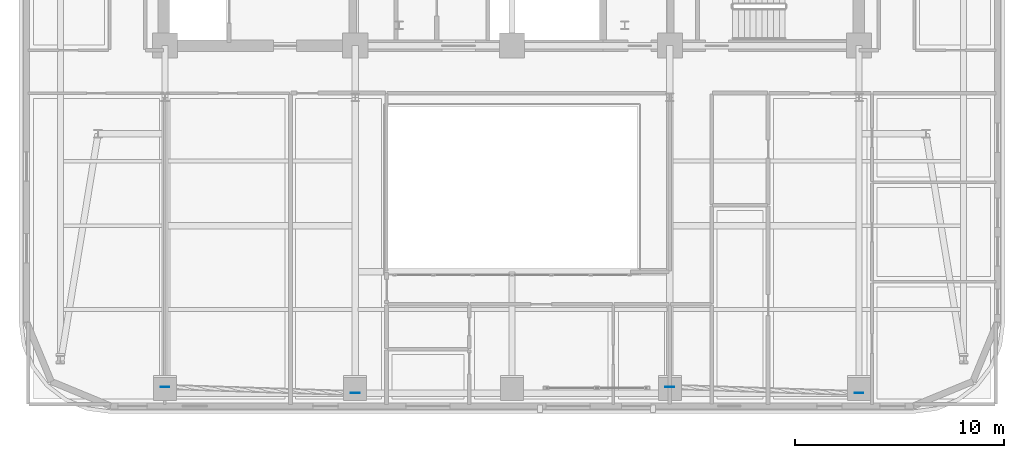
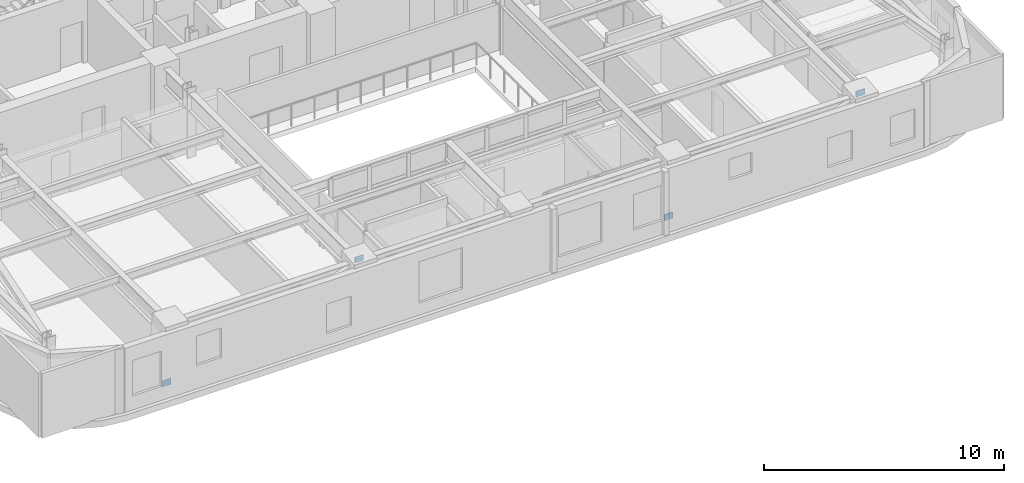
# One storey, part 5 of 13: 4 plates.
"""IFC4 building model written with IfcOpenShell, lengths in metres."""

import ifcopenshell
import ifcopenshell.guid

model = None  # the IFC model being written
_history = None  # IfcOwnerHistory: only IFC2X3 demands one
_inside = {}  # id of a spatial element -> (the spatial element, [elements in it])
_under = {}  # id of a project, library or spatial element -> (it, [spatial elements below it])
_declared = {}  # id of a project -> (the project, [libraries it declares])
_typed = {}  # id of a type object -> (the type object, [elements of that type])
_made_of = {}  # id of a material, layer set ... -> (it, [elements and type objects made of it])


def new_model(schema):
    """Start an empty IFC model of exactly this schema.

    Asked for "IFC4X3", IfcOpenShell would pick the latest addendum, in which some entities
    have other attributes; the version numbers below select the first issue.
    IFC2X3 requires an IfcOwnerHistory on every rooted entity: one is made here for all.
    """
    global model, _history
    if schema == "IFC4X3":
        model = ifcopenshell.file(schema_version=(4, 3, 0, 0))
    else:
        model = ifcopenshell.file(schema=schema)
    _inside.clear()
    _under.clear()
    _declared.clear()
    _typed.clear()
    _made_of.clear()
    _history = None
    if model.schema == "IFC2X3":
        org = make("IfcOrganization", Name="unknown")
        user = make(
            "IfcPersonAndOrganization",
            ThePerson=make("IfcPerson", FamilyName="unknown"),
            TheOrganization=org,
        )
        app = make(
            "IfcApplication",
            ApplicationDeveloper=org,
            Version="unknown",
            ApplicationFullName="unknown",
            ApplicationIdentifier="unknown",
        )
        _history = make(
            "IfcOwnerHistory",
            OwningUser=user,
            OwningApplication=app,
            ChangeAction="ADDED",
            CreationDate=0,
        )
    return model


def make(cls, **values):
    """One entity of the class cls with the attributes given. An attribute that is None is left unset."""
    return model.create_entity(
        cls, **{name: value for name, value in values.items() if value is not None}
    )


def rooted(cls, **values):
    """An entity with a GlobalId (a new one), such as an element, a storey or a relation."""
    return make(cls, GlobalId=ifcopenshell.guid.new(), OwnerHistory=_history, **values)


def si_unit(unit_type, name, prefix=None):
    """IfcSIUnit, for example si_unit("LENGTHUNIT", "METRE", prefix="MILLI")."""
    return make("IfcSIUnit", UnitType=unit_type, Prefix=prefix, Name=name)


def assignment(units):
    """IfcUnitAssignment: the units of a project."""
    return None if units is None else make("IfcUnitAssignment", Units=units)


def point(xyz):
    """IfcCartesianPoint."""
    return None if xyz is None else make("IfcCartesianPoint", Coordinates=xyz)


def direction(xyz):
    """IfcDirection."""
    return None if xyz is None else make("IfcDirection", DirectionRatios=xyz)


def frame(location, z_axis=None, x_axis=None):
    """IfcAxis2Placement3D, a coordinate frame: its origin and axes. An axis left out is left unset."""
    return make(
        "IfcAxis2Placement3D",
        Location=point(location),
        Axis=direction(z_axis),
        RefDirection=direction(x_axis),
    )


def frame_2d(location, x_axis=None):
    """IfcAxis2Placement2D, a coordinate frame in the plane: its origin and x axis."""
    return make(
        "IfcAxis2Placement2D", Location=point(location), RefDirection=direction(x_axis)
    )


def origin():
    """The frame at (0, 0, 0) with its axes left unset."""
    return frame((0.0, 0.0, 0.0))


def origin_2d():
    """The frame at (0, 0) in the plane with its x axis left unset."""
    return frame_2d((0.0, 0.0))


def place(relative_to, where):
    """IfcLocalPlacement: puts the frame where relative to a parent placement (None: the world)."""
    return make(
        "IfcLocalPlacement", PlacementRelTo=relative_to, RelativePlacement=where
    )


def context(
    kind, dimensions, precision=None, world=None, true_north=None, identifier=None
):
    """IfcGeometricRepresentationContext, for example the 3D "Model" context."""
    return make(
        "IfcGeometricRepresentationContext",
        ContextIdentifier=identifier,
        ContextType=kind,
        CoordinateSpaceDimension=dimensions,
        Precision=precision,
        WorldCoordinateSystem=world,
        TrueNorth=true_north,
    )


def subcontext(parent, identifier, kind, view, scale=None):
    """IfcGeometricRepresentationSubContext, for example "Body" below "Model"."""
    return make(
        "IfcGeometricRepresentationSubContext",
        ContextIdentifier=identifier,
        ContextType=kind,
        ParentContext=parent,
        TargetScale=scale,
        TargetView=view,
    )


def project(units=None, contexts=None):
    """IfcProject with its units and contexts."""
    return rooted(
        "IfcProject",
        Name="project",
        RepresentationContexts=contexts,
        UnitsInContext=assignment(units),
    )


def spatial(cls, under=None, at=None, **own):
    """A site, building, storey or space (cls), placed at a placement, below another one or the project."""
    s = rooted(cls, ObjectPlacement=at, **own)
    if under is not None:
        _under.setdefault(under.id(), (under, []))[1].append(s)
    return s


def profile(cls, at=None, kind="AREA", **sizes):
    """A parametric profile (cls). Its sizes go by their IFC names, for example OverallWidth=200.0."""
    return make(cls, ProfileType=kind, Position=at, **sizes)


def rectangle(**sizes):
    """IfcRectangleProfileDef."""
    return profile("IfcRectangleProfileDef", **sizes)


def extrude(swept, where, along, depth):
    """IfcExtrudedAreaSolid: the profile swept, set in the frame where, extruded along a direction by depth."""
    return make(
        "IfcExtrudedAreaSolid",
        SweptArea=swept,
        Position=where,
        ExtrudedDirection=direction(along),
        Depth=depth,
    )


def shape(context_of_items, identifier, shape_type, items):
    """IfcShapeRepresentation: the items that make up one representation, for example the "Body"."""
    return make(
        "IfcShapeRepresentation",
        ContextOfItems=context_of_items,
        RepresentationIdentifier=identifier,
        RepresentationType=shape_type,
        Items=items,
    )


def material(Name=None, Category=None):
    """IfcMaterial."""
    return make("IfcMaterial", Name=Name, Category=Category)


def layer(
    of_material, thickness, ventilated=None, Name=None, Category=None, Priority=None
):
    """IfcMaterialLayer: one layer of a wall or slab, of a material (None: an air gap)."""
    return make(
        "IfcMaterialLayer",
        Material=of_material,
        LayerThickness=thickness,
        IsVentilated=ventilated,
        Name=Name,
        Category=Category,
        Priority=Priority,
    )


def layer_set(layers, Name=None):
    """IfcMaterialLayerSet."""
    return make("IfcMaterialLayerSet", MaterialLayers=layers, LayerSetName=Name)


def made_of(thing, what):
    """Note that an element or type object is made of a material, layer set ...; save() writes the relation."""
    if what is not None:
        _made_of.setdefault(what.id(), (what, []))[1].append(thing)
    return thing


def type_object(cls, material=None, **own):
    """A type object (cls), such as IfcWallType, which elements share."""
    return made_of(rooted(cls, **own), material)


def element(
    cls,
    number,
    at=None,
    inside=None,
    cuts=None,
    type_object=None,
    material=None,
    context=None,
    identifier="Body",
    shape_type=None,
    held_by="IfcProductDefinitionShape",
    body=None,
    shapes=None,
    **own,
):
    """One element of the class cls, such as IfcWall. Its Tag is "e" and its number.

    at: its placement. inside: the storey or other place that contains it. cuts: it is an
    opening in that element (IfcRelVoidsElement). A single representation is given by context,
    identifier, shape_type and body (its items); several are given by shapes. held_by: the class
    of the entity that holds the representations. save() writes the other relations.
    """
    e = rooted(cls, Tag="e%d" % number, ObjectPlacement=at, **own)
    if body is not None:
        shapes = [shape(context, identifier, shape_type, body)]
    if shapes is not None:
        e.Representation = make(held_by, Representations=shapes)
    if inside is not None:
        _inside.setdefault(inside.id(), (inside, []))[1].append(e)
    if cuts is not None:
        rooted(
            "IfcRelVoidsElement", RelatingBuildingElement=cuts, RelatedOpeningElement=e
        )
    if type_object is not None:
        _typed.setdefault(type_object.id(), (type_object, []))[1].append(e)
    return made_of(e, material)


def aggregate(whole, parts):
    """IfcRelAggregates: a whole, such as a stair, and the parts it consists of."""
    return rooted("IfcRelAggregates", RelatingObject=whole, RelatedObjects=parts)


def save(model, path):
    """Write the relations noted so far, then the file.

    IfcRelAggregates (storeys below a building ...), IfcRelContainedInSpatialStructure (elements
    in a storey), IfcRelDefinesByType, IfcRelAssociatesMaterial and IfcRelDeclares: one each for
    every whole, place, type object, material and project.
    """
    for whole, parts in _under.values():
        aggregate(whole, parts)
    for where, things in _inside.values():
        rooted(
            "IfcRelContainedInSpatialStructure",
            RelatedElements=things,
            RelatingStructure=where,
        )
    for kind, things in _typed.values():
        rooted("IfcRelDefinesByType", RelatedObjects=things, RelatingType=kind)
    for what, things in _made_of.values():
        rooted("IfcRelAssociatesMaterial", RelatedObjects=things, RelatingMaterial=what)
    for by, libraries in _declared.values():
        rooted("IfcRelDeclares", RelatingContext=by, RelatedDefinitions=libraries)
    model.write(path)


model = new_model("IFC4")

# Units and contexts
model_context = context("Model", 3, precision=1e-05, world=origin(), true_north=direction((0.0, 1.0)))
body_context = subcontext(model_context, "Body", "Model", "MODEL_VIEW")
ifc_project = project(units=[si_unit("LENGTHUNIT", "METRE"), si_unit("AREAUNIT", "SQUARE_METRE"), si_unit("VOLUMEUNIT", "CUBIC_METRE"), si_unit("PLANEANGLEUNIT", "RADIAN"), si_unit("MASSUNIT", "GRAM", prefix="KILO")], contexts=[model_context])

# Site, building, storey
site_placement = place(None, origin())
site = spatial("IfcSite", under=ifc_project, at=site_placement, CompositionType="ELEMENT")
building_placement = place(site_placement, origin())
building = spatial("IfcBuilding", under=site, at=building_placement, Name="Zarnavel Station Tower", CompositionType="ELEMENT")
storey_placement = place(building_placement, frame((0.0, 0.0, 162.550048828125)))
storey = spatial("IfcBuildingStorey", under=building, at=storey_placement, Name="L44", CompositionType="ELEMENT", Elevation=162.550048828125)

# Plates
ifc_material = material(Name="Steel S460M", Category="steel")
ifc_layer = layer(ifc_material, 0.02490234375)
ifc_layer_set = layer_set([ifc_layer], Name="GP_GUSSET_25")
plate_type = type_object("IfcPlateType", Name="GP_GUSSET_25", PredefinedType="USERDEFINED", material=ifc_layer_set)
for number, where, z_axis, x_axis, name in (
    (1, (12.199951171875, 11.497802734375, -0.14990234375), (0.0, 0.0, 1.0), (1.0, 0.0, 0.0), "L44 Exterior Diagonal Brace End Gusset 1-1"),
    (2, (21.300048828125, 11.19970703125, 3.14013671875), (0.0, 0.0, 1.0), (1.0, 0.0, 0.0), "L44 Exterior Diagonal Brace End Gusset 1-2"),
    (3, (36.35009765625, 11.497802734375, -0.14990234375), (0.0, 0.0, 1.0), (1.0, 0.0, 0.0), "L44 Exterior Diagonal Brace End Gusset 2-1"),
    (4, (45.39990234375, 11.19970703125, 3.14013671875), (0.0, 0.0, 1.0), (1.0, 0.0, 0.0), "L44 Exterior Diagonal Brace End Gusset 2-2"),
):
    element("IfcPlate", number, at=place(storey_placement, frame(where, z_axis=z_axis, x_axis=x_axis)), inside=storey, type_object=plate_type, Name=name, ObjectType="GUSSET_PLATE", PredefinedType="USERDEFINED", context=body_context, shape_type="SweptSolid", body=[
        extrude(rectangle(XDim=0.419921875, YDim=0.02490234375, at=origin_2d()), origin(), (0.0, 0.0, 1.0), 0.300048828125),
    ])

save(model, "model.ifc")
